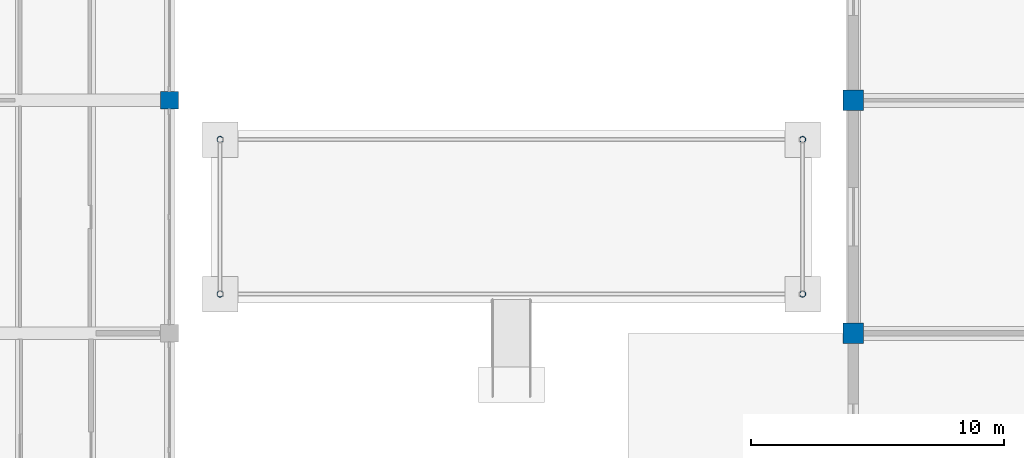
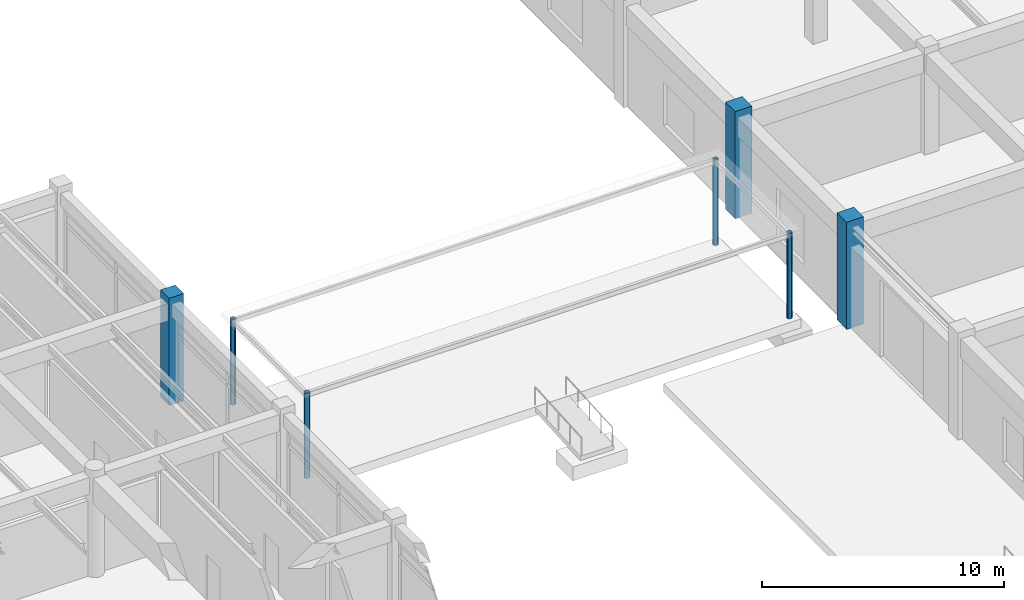
# One storey, part 21 of 76: 7 columns.
"""IFC4 building model written with IfcOpenShell, lengths in metres."""

from ifc_helpers import new_model, si_unit, direction, frame, origin, origin_2d, place, context, subcontext, project, spatial, rectangle, hollow_circle, extrude, material, material_profile, profile_set, type_object, element, save


model = new_model("IFC4")

# Units and contexts
model_context = context("Model", 3, precision=1e-05, world=origin(), true_north=direction((0.0, 1.0)))
body_context = subcontext(model_context, "Body", "Model", "MODEL_VIEW")
ifc_project = project(units=[si_unit("LENGTHUNIT", "METRE"), si_unit("AREAUNIT", "SQUARE_METRE"), si_unit("VOLUMEUNIT", "CUBIC_METRE"), si_unit("PLANEANGLEUNIT", "RADIAN"), si_unit("MASSUNIT", "GRAM", prefix="KILO")], contexts=[model_context])

# Site, building, storey
site_placement = place(None, origin())
site = spatial("IfcSite", under=ifc_project, at=site_placement, CompositionType="ELEMENT")
building_placement = place(site_placement, origin())
building = spatial("IfcBuilding", under=site, at=building_placement, Name="Bozkorgan Art Gallery", CompositionType="ELEMENT")
storey_placement = place(building_placement, origin())
storey = spatial("IfcBuildingStorey", under=building, at=storey_placement, Name="L00", CompositionType="ELEMENT", Elevation=0.0)

# Columns
ifc_material_1 = material(Name="Concrete C40/50", Category="concrete")
ifc_material_profile_1 = material_profile(ifc_material_1, rectangle(XDim=0.800048828125, YDim=0.800048828125, at=origin_2d()), Name="RC 800x800")
ifc_profile_set_1 = profile_set([ifc_material_profile_1], Name="Concrete C40/50")
column_type_1 = type_object("IfcColumnType", Name="COLUMN-C-45", PredefinedType="COLUMN", material=ifc_profile_set_1)
for number, where, z_axis, x_axis, name in (
    (1, (128.0, 84.39990234375, 0.0), (0.0, 0.0, 1.0), (1.0, 0.0, 0.0), "V5 L00 column (128.0, 84.4)"),
    (2, (128.0, 93.60009765625, 0.0), (0.0, 0.0, 1.0), (1.0, 0.0, 0.0), "V5 L00 column (128.0, 93.6)"),
):
    element("IfcColumn", number, at=place(storey_placement, frame(where, z_axis=z_axis, x_axis=x_axis)), inside=storey, type_object=column_type_1, Name=name, PredefinedType="COLUMN", context=body_context, shape_type="SweptSolid", body=[
        extrude(rectangle(XDim=0.800048828125, YDim=0.800048828125, at=origin_2d()), origin(), (0.0, 0.0, 1.0), 5.39990234375),
    ])
ifc_material_profile_2 = material_profile(ifc_material_1, rectangle(XDim=0.699951171875, YDim=0.699951171875, at=origin_2d()), Name="RC 700x700")
ifc_profile_set_2 = profile_set([ifc_material_profile_2], Name="Concrete C40/50")
column_type_2 = type_object("IfcColumnType", Name="COLUMN-C-73", PredefinedType="COLUMN", material=ifc_profile_set_2)
column_placement = place(storey_placement, frame((101.0, 93.60009765625, 0.0), z_axis=(0.0, 0.0, 1.0), x_axis=(1.0, 0.0, 0.0)))
element("IfcColumn", 3, at=column_placement, inside=storey, type_object=column_type_2, Name="V4 L00 column (101.0, 93.6)", PredefinedType="COLUMN", context=body_context, shape_type="SweptSolid", body=[
    extrude(rectangle(XDim=0.699951171875, YDim=0.699951171875, at=origin_2d()), origin(), (0.0, 0.0, 1.0), 5.39990234375),
])
ifc_material_2 = material(Name="Steel S355J2", Category="steel")
ifc_material_profile_3 = material_profile(ifc_material_2, hollow_circle(Radius=0.122314453125, WallThickness=0.010009765625, at=origin_2d()), Name="CHS 244.5x10")
ifc_profile_set_3 = profile_set([ifc_material_profile_3], Name="Steel S355J2")
column_type_3 = type_object("IfcColumnType", Name="COLUMN-WC-87", PredefinedType="COLUMN", material=ifc_profile_set_3)
for number, where, z_axis, x_axis, name in (
    (4, (103.0, 85.949951171875, 0.0), (0.0, 0.0, 1.0), (1.0, 0.0, 0.0), "East Water-Court Covered Walk column 1"),
    (5, (126.0, 85.949951171875, 0.0), (0.0, 0.0, 1.0), (1.0, 0.0, 0.0), "East Water-Court Covered Walk column 2"),
    (6, (126.0, 92.050048828125, 0.0), (0.0, 0.0, 1.0), (1.0, 0.0, 0.0), "East Water-Court Covered Walk column 3"),
    (7, (103.0, 92.050048828125, 0.0), (0.0, 0.0, 1.0), (1.0, 0.0, 0.0), "East Water-Court Covered Walk column 4"),
):
    element("IfcColumn", number, at=place(storey_placement, frame(where, z_axis=z_axis, x_axis=x_axis)), inside=storey, type_object=column_type_3, Name=name, PredefinedType="COLUMN", context=body_context, shape_type="SweptSolid", body=[
        extrude(hollow_circle(Radius=0.122314453125, WallThickness=0.010009765625, at=origin_2d()), origin(), (0.0, 0.0, 1.0), 4.300048828125),
    ])

save(model, "model.ifc")
